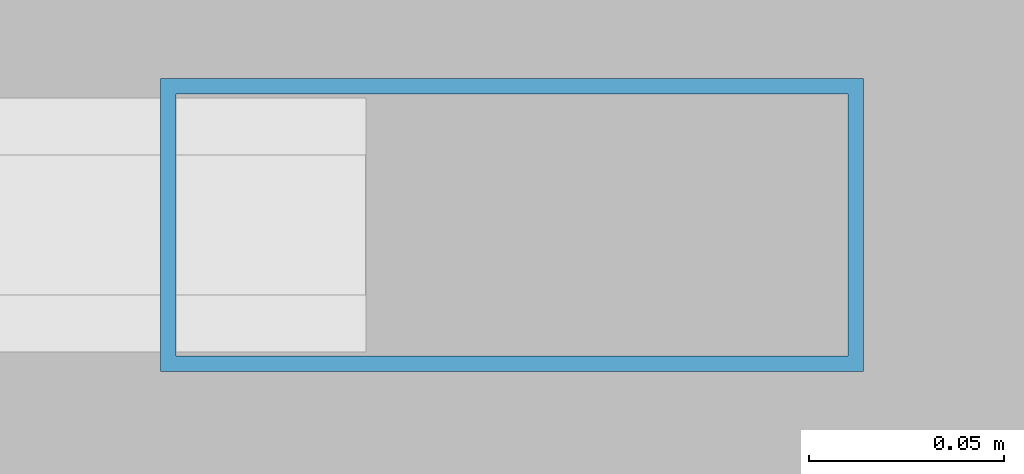
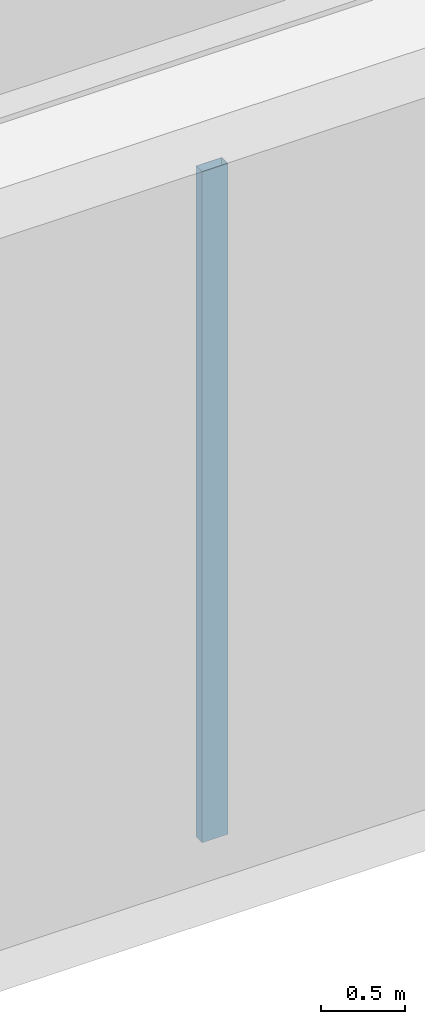
# One storey, part 8 of 35: 1 member, 1 element without a shape of its own.
"""IFC4 building model written with IfcOpenShell, lengths in metres."""

import ifcopenshell
import ifcopenshell.guid

model = None  # the IFC model being written
_history = None  # IfcOwnerHistory: only IFC2X3 demands one
_inside = {}  # id of a spatial element -> (the spatial element, [elements in it])
_under = {}  # id of a project, library or spatial element -> (it, [spatial elements below it])
_declared = {}  # id of a project -> (the project, [libraries it declares])
_typed = {}  # id of a type object -> (the type object, [elements of that type])
_made_of = {}  # id of a material, layer set ... -> (it, [elements and type objects made of it])


def new_model(schema):
    """Start an empty IFC model of exactly this schema.

    Asked for "IFC4X3", IfcOpenShell would pick the latest addendum, in which some entities
    have other attributes; the version numbers below select the first issue.
    IFC2X3 requires an IfcOwnerHistory on every rooted entity: one is made here for all.
    """
    global model, _history
    if schema == "IFC4X3":
        model = ifcopenshell.file(schema_version=(4, 3, 0, 0))
    else:
        model = ifcopenshell.file(schema=schema)
    _inside.clear()
    _under.clear()
    _declared.clear()
    _typed.clear()
    _made_of.clear()
    _history = None
    if model.schema == "IFC2X3":
        org = make("IfcOrganization", Name="unknown")
        user = make(
            "IfcPersonAndOrganization",
            ThePerson=make("IfcPerson", FamilyName="unknown"),
            TheOrganization=org,
        )
        app = make(
            "IfcApplication",
            ApplicationDeveloper=org,
            Version="unknown",
            ApplicationFullName="unknown",
            ApplicationIdentifier="unknown",
        )
        _history = make(
            "IfcOwnerHistory",
            OwningUser=user,
            OwningApplication=app,
            ChangeAction="ADDED",
            CreationDate=0,
        )
    return model


def make(cls, **values):
    """One entity of the class cls with the attributes given. An attribute that is None is left unset."""
    return model.create_entity(
        cls, **{name: value for name, value in values.items() if value is not None}
    )


def rooted(cls, **values):
    """An entity with a GlobalId (a new one), such as an element, a storey or a relation."""
    return make(cls, GlobalId=ifcopenshell.guid.new(), OwnerHistory=_history, **values)


def si_unit(unit_type, name, prefix=None):
    """IfcSIUnit, for example si_unit("LENGTHUNIT", "METRE", prefix="MILLI")."""
    return make("IfcSIUnit", UnitType=unit_type, Prefix=prefix, Name=name)


def assignment(units):
    """IfcUnitAssignment: the units of a project."""
    return None if units is None else make("IfcUnitAssignment", Units=units)


def point(xyz):
    """IfcCartesianPoint."""
    return None if xyz is None else make("IfcCartesianPoint", Coordinates=xyz)


def direction(xyz):
    """IfcDirection."""
    return None if xyz is None else make("IfcDirection", DirectionRatios=xyz)


def frame(location, z_axis=None, x_axis=None):
    """IfcAxis2Placement3D, a coordinate frame: its origin and axes. An axis left out is left unset."""
    return make(
        "IfcAxis2Placement3D",
        Location=point(location),
        Axis=direction(z_axis),
        RefDirection=direction(x_axis),
    )


def frame_2d(location, x_axis=None):
    """IfcAxis2Placement2D, a coordinate frame in the plane: its origin and x axis."""
    return make(
        "IfcAxis2Placement2D", Location=point(location), RefDirection=direction(x_axis)
    )


def origin():
    """The frame at (0, 0, 0) with its axes left unset."""
    return frame((0.0, 0.0, 0.0))


def origin_2d():
    """The frame at (0, 0) in the plane with its x axis left unset."""
    return frame_2d((0.0, 0.0))


def place(relative_to, where):
    """IfcLocalPlacement: puts the frame where relative to a parent placement (None: the world)."""
    return make(
        "IfcLocalPlacement", PlacementRelTo=relative_to, RelativePlacement=where
    )


def context(
    kind, dimensions, precision=None, world=None, true_north=None, identifier=None
):
    """IfcGeometricRepresentationContext, for example the 3D "Model" context."""
    return make(
        "IfcGeometricRepresentationContext",
        ContextIdentifier=identifier,
        ContextType=kind,
        CoordinateSpaceDimension=dimensions,
        Precision=precision,
        WorldCoordinateSystem=world,
        TrueNorth=true_north,
    )


def subcontext(parent, identifier, kind, view, scale=None):
    """IfcGeometricRepresentationSubContext, for example "Body" below "Model"."""
    return make(
        "IfcGeometricRepresentationSubContext",
        ContextIdentifier=identifier,
        ContextType=kind,
        ParentContext=parent,
        TargetScale=scale,
        TargetView=view,
    )


def project(units=None, contexts=None):
    """IfcProject with its units and contexts."""
    return rooted(
        "IfcProject",
        Name="project",
        RepresentationContexts=contexts,
        UnitsInContext=assignment(units),
    )


def spatial(cls, under=None, at=None, **own):
    """A site, building, storey or space (cls), placed at a placement, below another one or the project."""
    s = rooted(cls, ObjectPlacement=at, **own)
    if under is not None:
        _under.setdefault(under.id(), (under, []))[1].append(s)
    return s


def profile(cls, at=None, kind="AREA", **sizes):
    """A parametric profile (cls). Its sizes go by their IFC names, for example OverallWidth=200.0."""
    return make(cls, ProfileType=kind, Position=at, **sizes)


def hollow_rectangle(**sizes):
    """IfcRectangleHollowProfileDef."""
    return profile("IfcRectangleHollowProfileDef", **sizes)


def extrude(swept, where, along, depth):
    """IfcExtrudedAreaSolid: the profile swept, set in the frame where, extruded along a direction by depth."""
    return make(
        "IfcExtrudedAreaSolid",
        SweptArea=swept,
        Position=where,
        ExtrudedDirection=direction(along),
        Depth=depth,
    )


def shape(context_of_items, identifier, shape_type, items):
    """IfcShapeRepresentation: the items that make up one representation, for example the "Body"."""
    return make(
        "IfcShapeRepresentation",
        ContextOfItems=context_of_items,
        RepresentationIdentifier=identifier,
        RepresentationType=shape_type,
        Items=items,
    )


def material(Name=None, Category=None):
    """IfcMaterial."""
    return make("IfcMaterial", Name=Name, Category=Category)


def layer(
    of_material, thickness, ventilated=None, Name=None, Category=None, Priority=None
):
    """IfcMaterialLayer: one layer of a wall or slab, of a material (None: an air gap)."""
    return make(
        "IfcMaterialLayer",
        Material=of_material,
        LayerThickness=thickness,
        IsVentilated=ventilated,
        Name=Name,
        Category=Category,
        Priority=Priority,
    )


def layer_set(layers, Name=None):
    """IfcMaterialLayerSet."""
    return make("IfcMaterialLayerSet", MaterialLayers=layers, LayerSetName=Name)


def material_profile(
    of_material, cross_section, Name=None, Category=None, Priority=None
):
    """IfcMaterialProfile: a cross section and its material."""
    return make(
        "IfcMaterialProfile",
        Name=Name,
        Material=of_material,
        Profile=cross_section,
        Priority=Priority,
        Category=Category,
    )


def profile_set(profiles, Name=None, composite=None):
    """IfcMaterialProfileSet."""
    return make(
        "IfcMaterialProfileSet",
        Name=Name,
        MaterialProfiles=profiles,
        CompositeProfile=composite,
    )


def made_of(thing, what):
    """Note that an element or type object is made of a material, layer set ...; save() writes the relation."""
    if what is not None:
        _made_of.setdefault(what.id(), (what, []))[1].append(thing)
    return thing


def type_object(cls, material=None, **own):
    """A type object (cls), such as IfcWallType, which elements share."""
    return made_of(rooted(cls, **own), material)


def element(
    cls,
    number,
    at=None,
    inside=None,
    cuts=None,
    type_object=None,
    material=None,
    context=None,
    identifier="Body",
    shape_type=None,
    held_by="IfcProductDefinitionShape",
    body=None,
    shapes=None,
    **own,
):
    """One element of the class cls, such as IfcWall. Its Tag is "e" and its number.

    at: its placement. inside: the storey or other place that contains it. cuts: it is an
    opening in that element (IfcRelVoidsElement). A single representation is given by context,
    identifier, shape_type and body (its items); several are given by shapes. held_by: the class
    of the entity that holds the representations. save() writes the other relations.
    """
    e = rooted(cls, Tag="e%d" % number, ObjectPlacement=at, **own)
    if body is not None:
        shapes = [shape(context, identifier, shape_type, body)]
    if shapes is not None:
        e.Representation = make(held_by, Representations=shapes)
    if inside is not None:
        _inside.setdefault(inside.id(), (inside, []))[1].append(e)
    if cuts is not None:
        rooted(
            "IfcRelVoidsElement", RelatingBuildingElement=cuts, RelatedOpeningElement=e
        )
    if type_object is not None:
        _typed.setdefault(type_object.id(), (type_object, []))[1].append(e)
    return made_of(e, material)


def aggregate(whole, parts):
    """IfcRelAggregates: a whole, such as a stair, and the parts it consists of."""
    return rooted("IfcRelAggregates", RelatingObject=whole, RelatedObjects=parts)


def save(model, path):
    """Write the relations noted so far, then the file.

    IfcRelAggregates (storeys below a building ...), IfcRelContainedInSpatialStructure (elements
    in a storey), IfcRelDefinesByType, IfcRelAssociatesMaterial and IfcRelDeclares: one each for
    every whole, place, type object, material and project.
    """
    for whole, parts in _under.values():
        aggregate(whole, parts)
    for where, things in _inside.values():
        rooted(
            "IfcRelContainedInSpatialStructure",
            RelatedElements=things,
            RelatingStructure=where,
        )
    for kind, things in _typed.values():
        rooted("IfcRelDefinesByType", RelatedObjects=things, RelatingType=kind)
    for what, things in _made_of.values():
        rooted("IfcRelAssociatesMaterial", RelatedObjects=things, RelatingMaterial=what)
    for by, libraries in _declared.values():
        rooted("IfcRelDeclares", RelatingContext=by, RelatedDefinitions=libraries)
    model.write(path)


model = new_model("IFC4")

# Units and contexts
model_context = context("Model", 3, precision=1e-05, world=origin(), true_north=direction((0.0, 1.0)))
body_context = subcontext(model_context, "Body", "Model", "MODEL_VIEW")
ifc_project = project(units=[si_unit("LENGTHUNIT", "METRE"), si_unit("AREAUNIT", "SQUARE_METRE"), si_unit("VOLUMEUNIT", "CUBIC_METRE"), si_unit("PLANEANGLEUNIT", "RADIAN"), si_unit("MASSUNIT", "GRAM", prefix="KILO")], contexts=[model_context])

# Site, building, storey
site_placement = place(None, origin())
site = spatial("IfcSite", under=ifc_project, at=site_placement, CompositionType="ELEMENT")
building_placement = place(site_placement, origin())
building = spatial("IfcBuilding", under=site, at=building_placement, Name="Qiaolan Cultural Towers", CompositionType="ELEMENT")
storey_placement = place(building_placement, frame((0.0, 0.0, 6.0)))
storey = spatial("IfcBuildingStorey", under=building, at=storey_placement, Name="L01", CompositionType="ELEMENT", Elevation=6.0)

# Curtain wall, member
ifc_material_1 = material(Name="Unitized Anodized Aluminium Curtain Wall System", Category="aluminium")
ifc_layer = layer(ifc_material_1, 0.199951171875)
ifc_layer_set = layer_set([ifc_layer], Name="Unitized Anodized Aluminium Curtain Wall System")
curtain_wall_type = type_object("IfcCurtainWallType", Name="CWS-01", PredefinedType="NOTDEFINED", material=ifc_layer_set)
curtain_wall_placement = place(storey_placement, origin())
curtain_wall = element("IfcCurtainWall", 1, at=curtain_wall_placement, inside=storey, type_object=curtain_wall_type, Name="L01 South Atrium Curtain Wall", PredefinedType="NOTDEFINED")
ifc_material_2 = material(Name="Extruded Aluminium 6063-T6", Category="aluminium")
ifc_material_profile = material_profile(ifc_material_2, hollow_rectangle(XDim=0.074951171875, YDim=0.179931640625, WallThickness=0.00390625, at=origin_2d()), Name="CWM-180x75x4")
ifc_profile_set = profile_set([ifc_material_profile], Name="Extruded Aluminium 6063-T6")
member_type = type_object("IfcMemberType", Name="CWS-01-MUL", PredefinedType="MULLION", material=ifc_profile_set)
member_placement = place(storey_placement, frame((61.96240234375, 0.219970703125, 0.14990234375), z_axis=(0.0, 0.0, 1.0), x_axis=(0.0, 1.0, 0.0)))
member = element("IfcMember", 2, at=member_placement, type_object=member_type, Name="CW-1 mullion 5", PredefinedType="MULLION", context=body_context, shape_type="SweptSolid", body=[
    extrude(hollow_rectangle(XDim=0.074951171875, YDim=0.179931640625, WallThickness=0.00390625, at=origin_2d()), origin(), (0.0, 0.0, 1.0), 4.900146484375),
])
aggregate(curtain_wall, [member])

save(model, "model.ifc")
